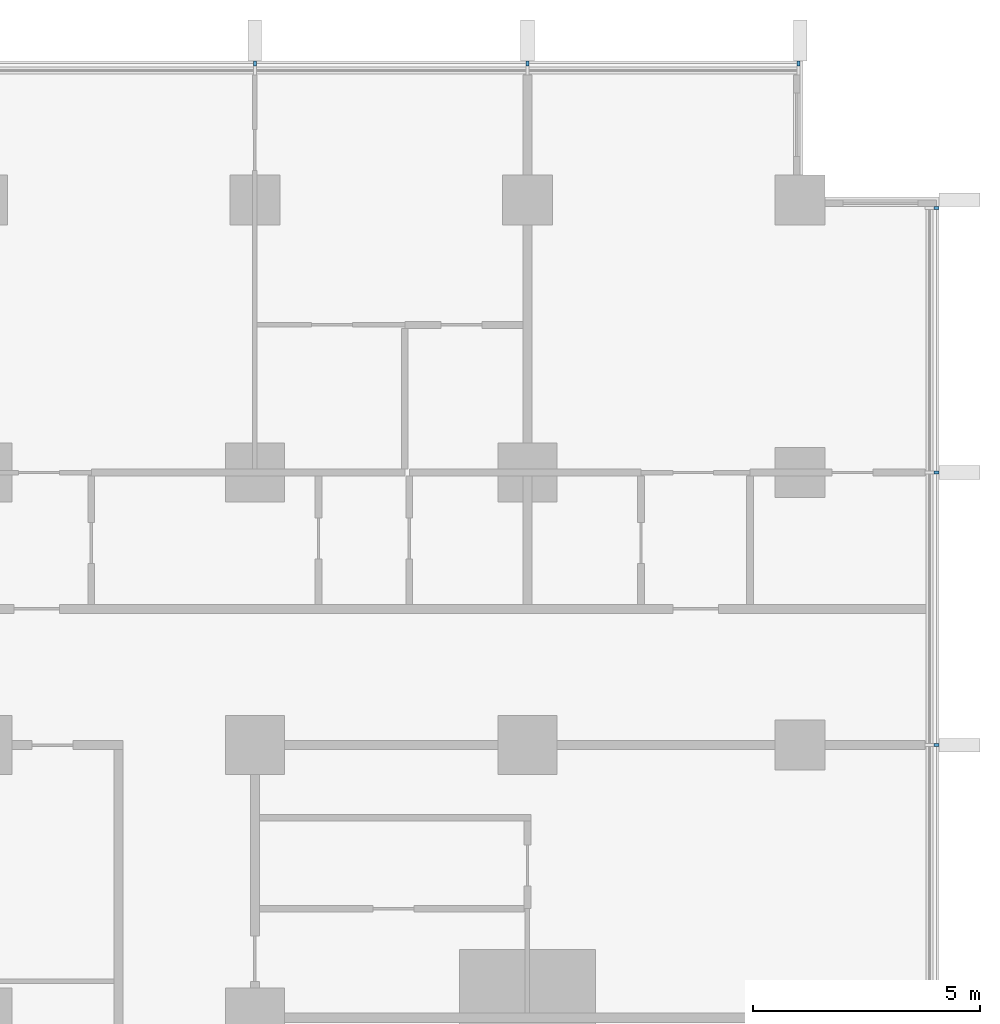
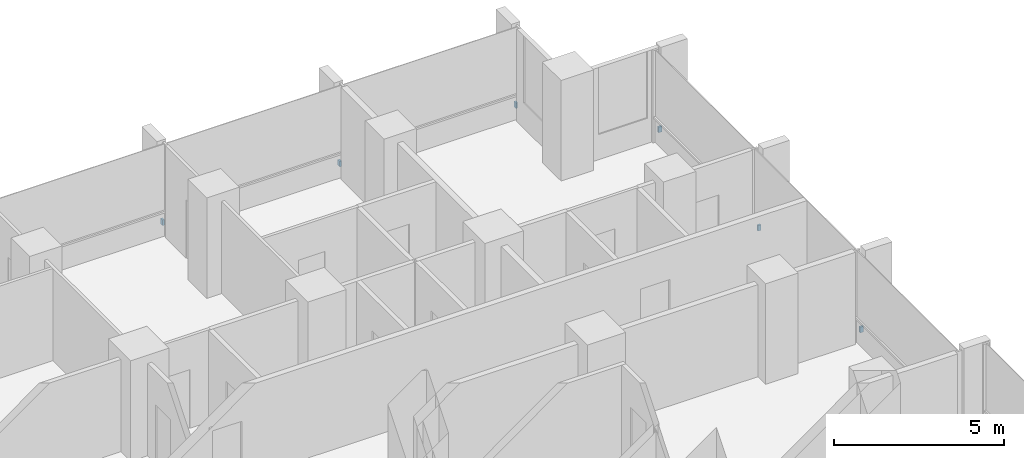
# One storey, part 17 of 18: 6 discrete accessories.
"""IFC4 building model written with IfcOpenShell, lengths in metres."""

import ifcopenshell
import ifcopenshell.guid

model = None  # the IFC model being written
_history = None  # IfcOwnerHistory: only IFC2X3 demands one
_inside = {}  # id of a spatial element -> (the spatial element, [elements in it])
_under = {}  # id of a project, library or spatial element -> (it, [spatial elements below it])
_declared = {}  # id of a project -> (the project, [libraries it declares])
_typed = {}  # id of a type object -> (the type object, [elements of that type])
_made_of = {}  # id of a material, layer set ... -> (it, [elements and type objects made of it])


def new_model(schema):
    """Start an empty IFC model of exactly this schema.

    Asked for "IFC4X3", IfcOpenShell would pick the latest addendum, in which some entities
    have other attributes; the version numbers below select the first issue.
    IFC2X3 requires an IfcOwnerHistory on every rooted entity: one is made here for all.
    """
    global model, _history
    if schema == "IFC4X3":
        model = ifcopenshell.file(schema_version=(4, 3, 0, 0))
    else:
        model = ifcopenshell.file(schema=schema)
    _inside.clear()
    _under.clear()
    _declared.clear()
    _typed.clear()
    _made_of.clear()
    _history = None
    if model.schema == "IFC2X3":
        org = make("IfcOrganization", Name="unknown")
        user = make(
            "IfcPersonAndOrganization",
            ThePerson=make("IfcPerson", FamilyName="unknown"),
            TheOrganization=org,
        )
        app = make(
            "IfcApplication",
            ApplicationDeveloper=org,
            Version="unknown",
            ApplicationFullName="unknown",
            ApplicationIdentifier="unknown",
        )
        _history = make(
            "IfcOwnerHistory",
            OwningUser=user,
            OwningApplication=app,
            ChangeAction="ADDED",
            CreationDate=0,
        )
    return model


def make(cls, **values):
    """One entity of the class cls with the attributes given. An attribute that is None is left unset."""
    return model.create_entity(
        cls, **{name: value for name, value in values.items() if value is not None}
    )


def rooted(cls, **values):
    """An entity with a GlobalId (a new one), such as an element, a storey or a relation."""
    return make(cls, GlobalId=ifcopenshell.guid.new(), OwnerHistory=_history, **values)


def si_unit(unit_type, name, prefix=None):
    """IfcSIUnit, for example si_unit("LENGTHUNIT", "METRE", prefix="MILLI")."""
    return make("IfcSIUnit", UnitType=unit_type, Prefix=prefix, Name=name)


def assignment(units):
    """IfcUnitAssignment: the units of a project."""
    return None if units is None else make("IfcUnitAssignment", Units=units)


def point(xyz):
    """IfcCartesianPoint."""
    return None if xyz is None else make("IfcCartesianPoint", Coordinates=xyz)


def direction(xyz):
    """IfcDirection."""
    return None if xyz is None else make("IfcDirection", DirectionRatios=xyz)


def frame(location, z_axis=None, x_axis=None):
    """IfcAxis2Placement3D, a coordinate frame: its origin and axes. An axis left out is left unset."""
    return make(
        "IfcAxis2Placement3D",
        Location=point(location),
        Axis=direction(z_axis),
        RefDirection=direction(x_axis),
    )


def frame_2d(location, x_axis=None):
    """IfcAxis2Placement2D, a coordinate frame in the plane: its origin and x axis."""
    return make(
        "IfcAxis2Placement2D", Location=point(location), RefDirection=direction(x_axis)
    )


def origin():
    """The frame at (0, 0, 0) with its axes left unset."""
    return frame((0.0, 0.0, 0.0))


def origin_2d():
    """The frame at (0, 0) in the plane with its x axis left unset."""
    return frame_2d((0.0, 0.0))


def place(relative_to, where):
    """IfcLocalPlacement: puts the frame where relative to a parent placement (None: the world)."""
    return make(
        "IfcLocalPlacement", PlacementRelTo=relative_to, RelativePlacement=where
    )


def context(
    kind, dimensions, precision=None, world=None, true_north=None, identifier=None
):
    """IfcGeometricRepresentationContext, for example the 3D "Model" context."""
    return make(
        "IfcGeometricRepresentationContext",
        ContextIdentifier=identifier,
        ContextType=kind,
        CoordinateSpaceDimension=dimensions,
        Precision=precision,
        WorldCoordinateSystem=world,
        TrueNorth=true_north,
    )


def subcontext(parent, identifier, kind, view, scale=None):
    """IfcGeometricRepresentationSubContext, for example "Body" below "Model"."""
    return make(
        "IfcGeometricRepresentationSubContext",
        ContextIdentifier=identifier,
        ContextType=kind,
        ParentContext=parent,
        TargetScale=scale,
        TargetView=view,
    )


def project(units=None, contexts=None):
    """IfcProject with its units and contexts."""
    return rooted(
        "IfcProject",
        Name="project",
        RepresentationContexts=contexts,
        UnitsInContext=assignment(units),
    )


def spatial(cls, under=None, at=None, **own):
    """A site, building, storey or space (cls), placed at a placement, below another one or the project."""
    s = rooted(cls, ObjectPlacement=at, **own)
    if under is not None:
        _under.setdefault(under.id(), (under, []))[1].append(s)
    return s


def profile(cls, at=None, kind="AREA", **sizes):
    """A parametric profile (cls). Its sizes go by their IFC names, for example OverallWidth=200.0."""
    return make(cls, ProfileType=kind, Position=at, **sizes)


def rectangle(**sizes):
    """IfcRectangleProfileDef."""
    return profile("IfcRectangleProfileDef", **sizes)


def extrude(swept, where, along, depth):
    """IfcExtrudedAreaSolid: the profile swept, set in the frame where, extruded along a direction by depth."""
    return make(
        "IfcExtrudedAreaSolid",
        SweptArea=swept,
        Position=where,
        ExtrudedDirection=direction(along),
        Depth=depth,
    )


def shape(context_of_items, identifier, shape_type, items):
    """IfcShapeRepresentation: the items that make up one representation, for example the "Body"."""
    return make(
        "IfcShapeRepresentation",
        ContextOfItems=context_of_items,
        RepresentationIdentifier=identifier,
        RepresentationType=shape_type,
        Items=items,
    )


def material(Name=None, Category=None):
    """IfcMaterial."""
    return make("IfcMaterial", Name=Name, Category=Category)


def made_of(thing, what):
    """Note that an element or type object is made of a material, layer set ...; save() writes the relation."""
    if what is not None:
        _made_of.setdefault(what.id(), (what, []))[1].append(thing)
    return thing


def type_object(cls, material=None, **own):
    """A type object (cls), such as IfcWallType, which elements share."""
    return made_of(rooted(cls, **own), material)


def element(
    cls,
    number,
    at=None,
    inside=None,
    cuts=None,
    type_object=None,
    material=None,
    context=None,
    identifier="Body",
    shape_type=None,
    held_by="IfcProductDefinitionShape",
    body=None,
    shapes=None,
    **own,
):
    """One element of the class cls, such as IfcWall. Its Tag is "e" and its number.

    at: its placement. inside: the storey or other place that contains it. cuts: it is an
    opening in that element (IfcRelVoidsElement). A single representation is given by context,
    identifier, shape_type and body (its items); several are given by shapes. held_by: the class
    of the entity that holds the representations. save() writes the other relations.
    """
    e = rooted(cls, Tag="e%d" % number, ObjectPlacement=at, **own)
    if body is not None:
        shapes = [shape(context, identifier, shape_type, body)]
    if shapes is not None:
        e.Representation = make(held_by, Representations=shapes)
    if inside is not None:
        _inside.setdefault(inside.id(), (inside, []))[1].append(e)
    if cuts is not None:
        rooted(
            "IfcRelVoidsElement", RelatingBuildingElement=cuts, RelatedOpeningElement=e
        )
    if type_object is not None:
        _typed.setdefault(type_object.id(), (type_object, []))[1].append(e)
    return made_of(e, material)


def aggregate(whole, parts):
    """IfcRelAggregates: a whole, such as a stair, and the parts it consists of."""
    return rooted("IfcRelAggregates", RelatingObject=whole, RelatedObjects=parts)


def save(model, path):
    """Write the relations noted so far, then the file.

    IfcRelAggregates (storeys below a building ...), IfcRelContainedInSpatialStructure (elements
    in a storey), IfcRelDefinesByType, IfcRelAssociatesMaterial and IfcRelDeclares: one each for
    every whole, place, type object, material and project.
    """
    for whole, parts in _under.values():
        aggregate(whole, parts)
    for where, things in _inside.values():
        rooted(
            "IfcRelContainedInSpatialStructure",
            RelatedElements=things,
            RelatingStructure=where,
        )
    for kind, things in _typed.values():
        rooted("IfcRelDefinesByType", RelatedObjects=things, RelatingType=kind)
    for what, things in _made_of.values():
        rooted("IfcRelAssociatesMaterial", RelatedObjects=things, RelatingMaterial=what)
    for by, libraries in _declared.values():
        rooted("IfcRelDeclares", RelatingContext=by, RelatedDefinitions=libraries)
    model.write(path)


model = new_model("IFC4")

# Units and contexts
model_context = context("Model", 3, precision=1e-05, world=origin(), true_north=direction((0.0, 1.0)))
body_context = subcontext(model_context, "Body", "Model", "MODEL_VIEW")
ifc_project = project(units=[si_unit("LENGTHUNIT", "METRE"), si_unit("AREAUNIT", "SQUARE_METRE"), si_unit("VOLUMEUNIT", "CUBIC_METRE"), si_unit("PLANEANGLEUNIT", "RADIAN"), si_unit("MASSUNIT", "GRAM", prefix="KILO")], contexts=[model_context])

# Site, building, storey
site_placement = place(None, origin())
site = spatial("IfcSite", under=ifc_project, at=site_placement, CompositionType="ELEMENT")
building_placement = place(site_placement, origin())
building = spatial("IfcBuilding", under=site, at=building_placement, Name="Finial Court Residences", CompositionType="ELEMENT")
storey_placement = place(building_placement, frame((0.0, 0.0, 50.5)))
storey = spatial("IfcBuildingStorey", under=building, at=storey_placement, Name="L11", CompositionType="ELEMENT", Elevation=50.5)

# Discrete accessories
ifc_material = material(Name="Stainless steel 316", Category="steel")
discrete_accessory_type = type_object("IfcDiscreteAccessoryType", Name="Fin bracket, stainless steel 65 x 110 x 200", PredefinedType="BRACKET", material=ifc_material)
for number, where, z_axis, x_axis, name in (
    (1, (10.5, 28.5048828125, 0.2998046875), (0.0, 0.0, 1.0), (1.0, 0.0, 0.0), "E-L11-FIN-N6-BRK"),
    (2, (16.5, 28.5048828125, 0.2998046875), (0.0, 0.0, 1.0), (1.0, 0.0, 0.0), "E-L11-FIN-N7-BRK"),
    (3, (22.467529296875, 28.5048828125, 0.2998046875), (0.0, 0.0, 1.0), (1.0, 0.0, 0.0), "E-L11-FIN-N8-BRK"),
):
    element("IfcDiscreteAccessory", number, at=place(storey_placement, frame(where, z_axis=z_axis, x_axis=x_axis)), inside=storey, type_object=discrete_accessory_type, Name=name, PredefinedType="BRACKET", context=body_context, shape_type="SweptSolid", body=[
        extrude(rectangle(XDim=0.06494140625, YDim=0.110107421875, at=origin_2d()), origin(), (0.0, 0.0, 1.0), 0.199951171875),
    ])
for number, where, z_axis, x_axis, name in (
    (4, (25.5048828125, 13.5, 0.2998046875), (0.0, 0.0, 1.0), (1.0, 0.0, 0.0), "E-L11-FIN-E14-BRK"),
    (5, (25.5048828125, 19.5, 0.2998046875), (0.0, 0.0, 1.0), (1.0, 0.0, 0.0), "E-L11-FIN-E15-BRK"),
    (6, (25.5048828125, 25.3173828125, 0.2998046875), (0.0, 0.0, 1.0), (1.0, 0.0, 0.0), "E-L11-FIN-E16-BRK"),
):
    element("IfcDiscreteAccessory", number, at=place(storey_placement, frame(where, z_axis=z_axis, x_axis=x_axis)), inside=storey, type_object=discrete_accessory_type, Name=name, PredefinedType="BRACKET", context=body_context, shape_type="SweptSolid", body=[
        extrude(rectangle(XDim=0.110107421875, YDim=0.06494140625, at=origin_2d()), origin(), (0.0, 0.0, 1.0), 0.199951171875),
    ])

save(model, "model.ifc")
